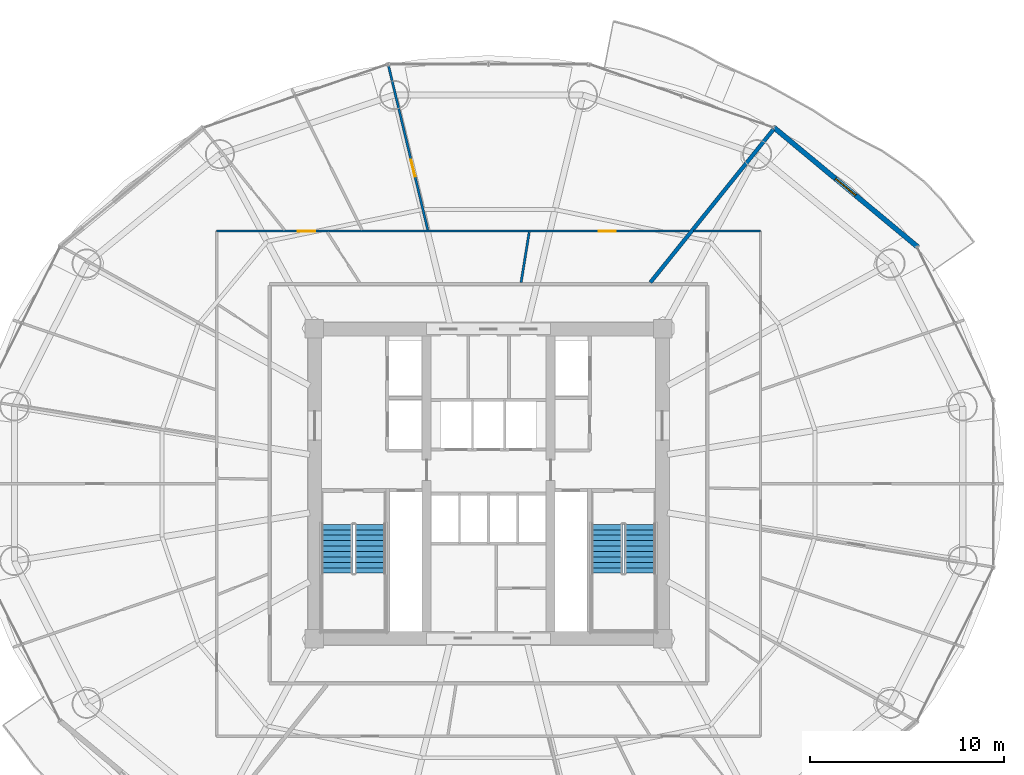
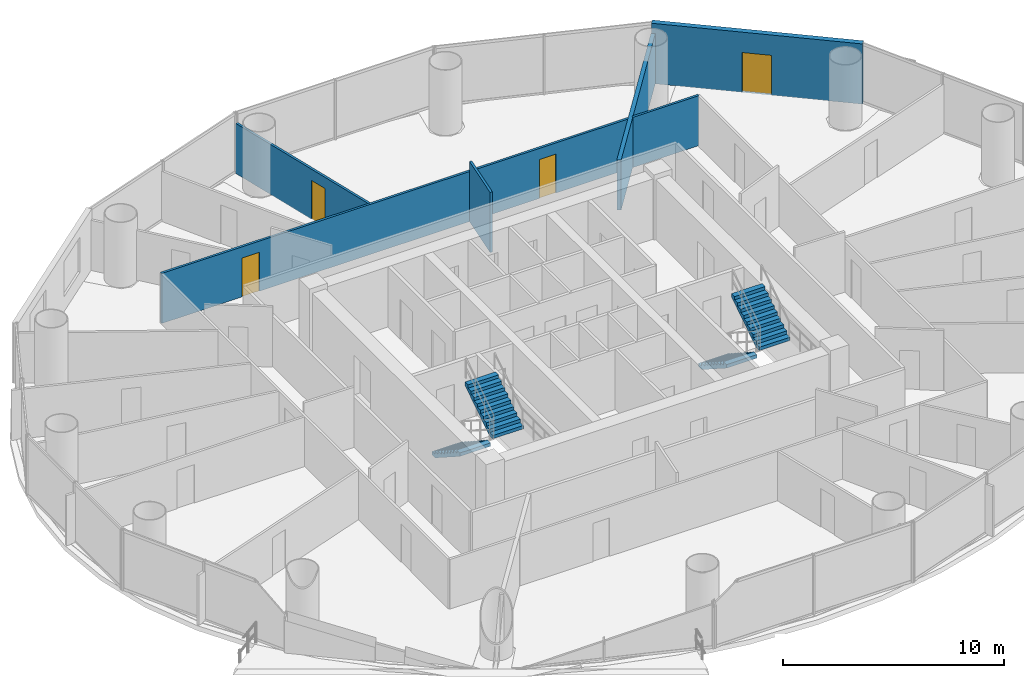
# One storey, part 25 of 29: 6 walls, 4 doors, 4 stair flights, 4 openings, 2 elements without a shape of their own.
"""IFC4 building model written with IfcOpenShell, lengths in metres."""

from ifc_helpers import new_model, si_unit, direction, frame, frame_2d, origin, place, context, subcontext, project, spatial, polyline, rectangle, outline, extrude, source, transform, mapped, material, layer, layer_set, type_object, element, fill, aggregate, save


model = new_model("IFC4")

# Units and contexts
model_context = context("Model", 3, precision=1e-05, world=origin(), true_north=direction((-0.2419218956, 0.970295726276)))
body_context = subcontext(model_context, "Body", "Model", "MODEL_VIEW")
ifc_project = project(units=[si_unit("LENGTHUNIT", "METRE"), si_unit("AREAUNIT", "SQUARE_METRE"), si_unit("VOLUMEUNIT", "CUBIC_METRE"), si_unit("PLANEANGLEUNIT", "RADIAN"), si_unit("MASSUNIT", "GRAM", prefix="KILO")], contexts=[model_context])

# Site, building, storey
site_placement = place(None, origin())
site = spatial("IfcSite", under=ifc_project, at=site_placement, CompositionType="ELEMENT")
building_placement = place(site_placement, origin())
building = spatial("IfcBuilding", under=site, at=building_placement, Name="Cobrevalo Terracotta Tower", CompositionType="ELEMENT")
storey_placement = place(building_placement, frame((0.0, 0.0, 119.39990234375)))
storey = spatial("IfcBuildingStorey", under=building, at=storey_placement, Name="L31", CompositionType="ELEMENT", Elevation=119.39990234375)

# Wall
ifc_material_1 = material(Name="Autoclaved aerated concrete block", Category="concrete")
ifc_layer_1 = layer(ifc_material_1, 0.199951171875)
ifc_layer_set_1 = layer_set([ifc_layer_1], Name="Autoclaved aerated concrete block")
wall_type_1 = type_object("IfcWallType", Name="Fire-rated stair, shaft & demising masonry wall 200 mm", PredefinedType="PARTITIONING", material=ifc_layer_set_1)
wall_1_placement = place(storey_placement, frame((46.35205078125, 37.18505859375, 0.0), z_axis=(0.0, 0.0, 1.0), x_axis=(0.626712884514, 0.779250255299, 0.0)))
element("IfcWall", 1, at=wall_1_placement, inside=storey, type_object=wall_type_1, Name="L31 interior partition IW-L31-DEM-1", PredefinedType="PARTITIONING", context=body_context, shape_type="SweptSolid", body=[
    extrude(rectangle(XDim=10.140869140625, YDim=0.199951171875, at=frame_2d((5.0703125, 0.0))), origin(), (0.0, 0.0, 1.0), 2.76708984375),
])

# Wall, opening, door
ifc_layer_2 = layer(ifc_material_1, 0.260009765625)
ifc_layer_set_2 = layer_set([ifc_layer_2], Name="Autoclaved aerated concrete block")
wall_type_2 = type_object("IfcWallType", Name="Recessed balcony loggia insulated exterior wall 260 mm", PredefinedType="SOLIDWALL", material=ifc_layer_set_2)
wall_2_placement = place(storey_placement, frame((60.15380859375, 39.01025390625, 0.0), z_axis=(0.0, 0.0, 1.0), x_axis=(-0.769242574941, 0.638956853706, 0.0)))
wall_2 = element("IfcWall", 2, at=wall_2_placement, inside=storey, type_object=wall_type_2, Name="L31 balcony loggia wall S02", PredefinedType="SOLIDWALL", context=body_context, shape_type="SweptSolid", body=[
    extrude(rectangle(XDim=9.68994140625, YDim=0.260009765625, at=frame_2d((4.844970703125, 0.0))), origin(), (0.0, 0.0, 1.0), 3.3251953125),
])
opening_1_placement = place(wall_2_placement, frame((4.169921875, 0.0, 0.0)))
opening_1 = element("IfcOpeningElement", 3, at=opening_1_placement, cuts=wall_2, Name="Opening ED-05", PredefinedType="OPENING", context=body_context, shape_type="SweptSolid", body=[
    extrude(rectangle(XDim=1.35009765625, YDim=2.199951171875, at=frame_2d((0.675048828125, 1.10009765625))), frame((0.0, 0.14013671875, 0.0), z_axis=(0.0, -1.0, 0.0), x_axis=(1.0, 0.0, 0.0)), (0.0, 0.0, 1.0), 0.280029296875),
])
ifc_material_2 = material(Name="Anodized aluminium and laminated glass", Category="aluminium")
door_type_1 = type_object("IfcDoorType", Name="Suite balcony acoustic glazed terrace door 1350x2200", OperationType="NOTDEFINED", PredefinedType="DOOR", material=ifc_material_2)
shared_shape_1 = source(origin(), body_context, "Body", "SweptSolid", [
    extrude(rectangle(XDim=1.35009765625, YDim=2.199951171875, at=frame_2d((0.675048828125, 1.10009765625))), frame((0.0, 0.02490234375, 0.0), z_axis=(0.0, -1.0, 0.0), x_axis=(1.0, 0.0, 0.0)), (0.0, 0.0, 1.0), 0.050048828125),
])
door_1_placement = place(opening_1_placement, frame((1.35009765625, 0.0, 0.0), z_axis=(0.0, 0.0, 1.0), x_axis=(-1.0, 0.0, 0.0)))
door_1 = element("IfcDoor", 4, at=door_1_placement, inside=storey, type_object=door_type_1, Name="L31 glazed balcony terrace door 1", OperationType="SINGLE_SWING_LEFT", OverallHeight=2.199951171875, OverallWidth=1.35009765625, PredefinedType="DOOR", context=body_context, shape_type="MappedRepresentation", body=[
    mapped(shared_shape_1, transform((0.0, 0.0, 0.0), scale=1.0)),
])
fill(opening_1, door_1)

# Wall, openings, doors
ifc_material_3 = material(Name="Gypsum board on steel stud", Category="steel")
ifc_layer_3 = layer(ifc_material_3, 0.1201171875)
ifc_layer_set_3 = layer_set([ifc_layer_3], Name="Gypsum board on steel stud")
wall_type_3 = type_object("IfcWallType", Name="Residential internal acoustic stud partition 120 mm", PredefinedType="PARTITIONING", material=ifc_layer_set_3)
wall_3_placement = place(storey_placement, frame((23.965087890625, 39.8349609375, 0.0), z_axis=(0.0, 0.0, 1.0), x_axis=(1.0, 0.0, 0.0)))
wall_3 = element("IfcWall", 5, at=wall_3_placement, inside=storey, type_object=wall_type_3, Name="L31 interior partition IW-L31-U1-RING2_0", PredefinedType="PARTITIONING", context=body_context, shape_type="SweptSolid", body=[
    extrude(rectangle(XDim=24.416015625, YDim=0.1201171875, at=frame_2d((12.2080078125, 0.0))), origin(), (0.0, 0.0, 1.0), 2.76708984375),
])
opening_2_placement = place(wall_3_placement, frame((4.192138671875, 0.0, 0.0)))
opening_2 = element("IfcOpeningElement", 6, at=opening_2_placement, cuts=wall_3, Name="Opening ID-12", PredefinedType="OPENING", context=body_context, shape_type="SweptSolid", body=[
    extrude(rectangle(XDim=0.89990234375, YDim=2.14990234375, at=frame_2d((0.449951171875, 1.074951171875))), frame((0.0, 0.070068359375, 0.0), z_axis=(0.0, -1.0, 0.0), x_axis=(1.0, 0.0, 0.0)), (0.0, 0.0, 1.0), 0.14013671875),
])
opening_3_placement = place(wall_3_placement, frame((19.727783203125, 0.0, 0.0)))
opening_3 = element("IfcOpeningElement", 7, at=opening_3_placement, cuts=wall_3, Name="Opening ID-19", PredefinedType="OPENING", context=body_context, shape_type="SweptSolid", body=[
    extrude(rectangle(XDim=0.860107421875, YDim=2.14990234375, at=frame_2d((0.43017578125, 1.074951171875))), frame((0.0, 0.070068359375, 0.0), z_axis=(0.0, -1.0, 0.0), x_axis=(1.0, 0.0, 0.0)), (0.0, 0.0, 1.0), 0.14013671875),
])
ifc_material_4 = material(Name="Moisture-sealed timber", Category="wood")
door_type_2 = type_object("IfcDoorType", Name="Suite bathroom internal timber door 860x2150", OperationType="NOTDEFINED", PredefinedType="DOOR", material=ifc_material_4)
shared_shape_2 = source(origin(), body_context, "Body", "SweptSolid", [
    extrude(rectangle(XDim=0.860107421875, YDim=2.14990234375, at=frame_2d((0.43017578125, 1.074951171875))), frame((0.0, 0.02490234375, 0.0), z_axis=(0.0, -1.0, 0.0), x_axis=(1.0, 0.0, 0.0)), (0.0, 0.0, 1.0), 0.050048828125),
])
door_2_placement = place(opening_3_placement, frame((0.860107421875, 0.0, 0.0), z_axis=(0.0, 0.0, 1.0), x_axis=(-1.0, 0.0, 0.0)))
door_2 = element("IfcDoor", 8, at=door_2_placement, inside=storey, type_object=door_type_2, Name="Flat L31A Guest Bathroom internal door", OperationType="SINGLE_SWING_LEFT", OverallHeight=2.14990234375, OverallWidth=0.860107421875, PredefinedType="DOOR", context=body_context, shape_type="MappedRepresentation", body=[
    mapped(shared_shape_2, transform((0.0, 0.0, 0.0), scale=1.0)),
])
fill(opening_3, door_2)
ifc_material_5 = material(Name="Engineered timber", Category="wood")
door_type_3 = type_object("IfcDoorType", Name="Internal residence & suite timber door 900x2150", OperationType="NOTDEFINED", PredefinedType="DOOR", material=ifc_material_5)
shared_shape_3 = source(origin(), body_context, "Body", "SweptSolid", [
    extrude(rectangle(XDim=0.89990234375, YDim=2.14990234375, at=frame_2d((0.449951171875, 1.074951171875))), frame((0.0, 0.02490234375, 0.0), z_axis=(0.0, -1.0, 0.0), x_axis=(1.0, 0.0, 0.0)), (0.0, 0.0, 1.0), 0.050048828125),
])
door_3_placement = place(opening_2_placement, origin())
door_3 = element("IfcDoor", 9, at=door_3_placement, inside=storey, type_object=door_type_3, Name="Flat L31A Principal Guest Bedroom internal door", OperationType="SINGLE_SWING_LEFT", OverallHeight=2.14990234375, OverallWidth=0.89990234375, PredefinedType="DOOR", context=body_context, shape_type="MappedRepresentation", body=[
    mapped(shared_shape_3, transform((0.0, 0.0, 0.0), scale=1.0)),
])
fill(opening_2, door_3)

# Wall, opening, door
wall_4_placement = place(storey_placement, frame((34.86474609375, 39.895263671875, 0.0), z_axis=(0.0, 0.0, 1.0), x_axis=(-0.23282725047, 0.97251810854, 0.0)))
wall_4 = element("IfcWall", 10, at=wall_4_placement, inside=storey, type_object=wall_type_3, Name="L31 interior partition IW-L31-U1-ORAD1", PredefinedType="PARTITIONING", context=body_context, shape_type="SweptSolid", body=[
    extrude(rectangle(XDim=8.71484375, YDim=0.1201171875, at=frame_2d((4.357421875, 0.0))), origin(), (0.0, 0.0, 1.0), 2.76708984375),
])
opening_4_placement = place(wall_4_placement, frame((2.83056640625, 0.0, 0.0)))
opening_4 = element("IfcOpeningElement", 11, at=opening_4_placement, cuts=wall_4, Name="Opening ID-12", PredefinedType="OPENING", context=body_context, shape_type="SweptSolid", body=[
    extrude(rectangle(XDim=0.89990234375, YDim=2.14990234375, at=frame_2d((0.449951171875, 1.074951171875))), frame((0.0, 0.070068359375, 0.0), z_axis=(0.0, -1.0, 0.0), x_axis=(1.0, 0.0, 0.0)), (0.0, 0.0, 1.0), 0.14013671875),
])
door_4_placement = place(opening_4_placement, frame((0.89990234375, 0.0, 0.0), z_axis=(0.0, 0.0, 1.0), x_axis=(-1.0, 0.0, 0.0)))
door_4 = element("IfcDoor", 12, at=door_4_placement, inside=storey, type_object=door_type_3, Name="Flat L31A Penthouse Living and Dining Room internal door", OperationType="SINGLE_SWING_RIGHT", OverallHeight=2.14990234375, OverallWidth=0.89990234375, PredefinedType="DOOR", context=body_context, shape_type="MappedRepresentation", body=[
    mapped(shared_shape_3, transform((0.0, 0.0, 0.0), scale=1.0)),
])
fill(opening_4, door_4)

# Walls
wall_5_placement = place(storey_placement, frame((39.678955078125, 37.18505859375, 0.0), z_axis=(0.0, 0.0, 1.0), x_axis=(0.159580767408, 0.98718487563, 0.0)))
element("IfcWall", 13, at=wall_5_placement, inside=storey, type_object=wall_type_3, Name="L31 interior partition IW-L31-U1-IRAD1", PredefinedType="PARTITIONING", context=body_context, shape_type="SweptSolid", body=[
    extrude(rectangle(XDim=2.622314453125, YDim=0.1201171875, at=frame_2d((1.31103515625, 0.0))), origin(), (0.0, 0.0, 1.0), 3.3251953125),
])
wall_6_placement = place(storey_placement, frame((48.585205078125, 39.8349609375, 0.0), z_axis=(0.0, 0.0, 1.0), x_axis=(1.0, 0.0, 0.0)))
element("IfcWall", 14, at=wall_6_placement, inside=storey, type_object=wall_type_3, Name="L31 interior partition IW-L31-U2-RING0_0", PredefinedType="PARTITIONING", context=body_context, shape_type="SweptSolid", body=[
    extrude(rectangle(XDim=3.44970703125, YDim=0.1201171875, at=frame_2d((1.724853515625, 0.0))), origin(), (0.0, 0.0, 1.0), 2.76708984375),
])

# Stair, stair flights
ifc_material_6 = material(Name="Concrete C50", Category="concrete")
stair_type = type_object("IfcStairType", Name="Core protected escape dogleg stair 1600", PredefinedType="HALF_TURN_STAIR", material=ifc_material_6)
stair_1_placement = place(storey_placement, origin())
stair_1 = element("IfcStair", 15, at=stair_1_placement, inside=storey, type_object=stair_type, Name="L31 Protected exit stair ST-1", PredefinedType="HALF_TURN_STAIR")
stair_flight_type = type_object("IfcStairFlightType", Name="Core protected escape dogleg stair 1600 flight", PredefinedType="STRAIGHT", material=ifc_material_6)
stair_flight_1_placement = place(storey_placement, frame((30.175048828125, 24.699951171875, 0.0), z_axis=(0.0, 0.0, 1.0), x_axis=(0.0, -1.0, 0.0)))
stair_flight_1 = element("IfcStairFlight", 16, at=stair_flight_1_placement, type_object=stair_flight_type, Name="ST-1 flight 1", NumberOfRisers=10, NumberOfTreads=9, PredefinedType="STRAIGHT", RiserHeight=0.18, TreadLength=0.28, context=body_context, shape_type="SweptSolid", body=[
    extrude(outline(polyline([(0.0, 0.0), (0.0, 0.179931640625), (0.280029296875, 0.179931640625), (0.280029296875, 0.360107421875), (0.56005859375, 0.360107421875), (0.56005859375, 0.5400390625), (0.840087890625, 0.5400390625), (0.840087890625, 0.719970703125), (1.1201171875, 0.719970703125), (1.1201171875, 0.89990234375), (1.39990234375, 0.89990234375), (1.39990234375, 1.080078125), (1.679931640625, 1.080078125), (1.679931640625, 1.260009765625), (1.9599609375, 1.260009765625), (1.9599609375, 1.43994140625), (2.239990234375, 1.43994140625), (2.239990234375, 1.6201171875), (2.52001953125, 1.6201171875), (2.52001953125, 1.800048828125), (2.52001953125, 1.429931640625), (0.295654296875, 0.0), (0.0, 0.0)])), frame((0.0, 0.800048828125, 0.0), z_axis=(0.0, -1.0, 0.0), x_axis=(1.0, 0.0, 0.0)), (0.0, 0.0, 1.0), 1.60009765625),
])
stair_flight_2_placement = place(storey_placement, frame((31.89501953125, 22.179931640625, 1.800048828125), z_axis=(0.0, 0.0, 1.0), x_axis=(0.0, 1.0, 0.0)))
stair_flight_2 = element("IfcStairFlight", 17, at=stair_flight_2_placement, type_object=stair_flight_type, Name="ST-1 flight 2", NumberOfRisers=10, NumberOfTreads=9, PredefinedType="STRAIGHT", RiserHeight=0.18, TreadLength=0.28, context=body_context, shape_type="SweptSolid", body=[
    extrude(outline(polyline([(0.0, 0.0), (0.0, 0.179931640625), (0.280029296875, 0.179931640625), (0.280029296875, 0.360107421875), (0.56005859375, 0.360107421875), (0.56005859375, 0.5400390625), (0.840087890625, 0.5400390625), (0.840087890625, 0.719970703125), (1.1201171875, 0.719970703125), (1.1201171875, 0.89990234375), (1.39990234375, 0.89990234375), (1.39990234375, 1.080078125), (1.679931640625, 1.080078125), (1.679931640625, 1.260009765625), (1.9599609375, 1.260009765625), (1.9599609375, 1.43994140625), (2.239990234375, 1.43994140625), (2.239990234375, 1.6201171875), (2.52001953125, 1.6201171875), (2.52001953125, 1.800048828125), (2.52001953125, 1.429931640625), (0.295654296875, 0.0), (0.0, 0.0)])), frame((0.0, 0.800048828125, 0.0), z_axis=(0.0, -1.0, 0.0), x_axis=(1.0, 0.0, 0.0)), (0.0, 0.0, 1.0), 1.60009765625),
])
aggregate(stair_1, [stair_flight_1, stair_flight_2])

stair_2_placement = place(storey_placement, origin())
stair_2 = element("IfcStair", 18, at=stair_2_placement, inside=storey, type_object=stair_type, Name="L31 Protected exit stair ST-2", PredefinedType="HALF_TURN_STAIR")
stair_flight_3_placement = place(storey_placement, frame((44.10498046875, 24.699951171875, 0.0), z_axis=(0.0, 0.0, 1.0), x_axis=(0.0, -1.0, 0.0)))
stair_flight_3 = element("IfcStairFlight", 19, at=stair_flight_3_placement, type_object=stair_flight_type, Name="ST-2 flight 1", NumberOfRisers=10, NumberOfTreads=9, PredefinedType="STRAIGHT", RiserHeight=0.18, TreadLength=0.28, context=body_context, shape_type="SweptSolid", body=[
    extrude(outline(polyline([(0.0, 0.0), (0.0, 0.179931640625), (0.280029296875, 0.179931640625), (0.280029296875, 0.360107421875), (0.56005859375, 0.360107421875), (0.56005859375, 0.5400390625), (0.840087890625, 0.5400390625), (0.840087890625, 0.719970703125), (1.1201171875, 0.719970703125), (1.1201171875, 0.89990234375), (1.39990234375, 0.89990234375), (1.39990234375, 1.080078125), (1.679931640625, 1.080078125), (1.679931640625, 1.260009765625), (1.9599609375, 1.260009765625), (1.9599609375, 1.43994140625), (2.239990234375, 1.43994140625), (2.239990234375, 1.6201171875), (2.52001953125, 1.6201171875), (2.52001953125, 1.800048828125), (2.52001953125, 1.429931640625), (0.295654296875, 0.0), (0.0, 0.0)])), frame((0.0, 0.800048828125, 0.0), z_axis=(0.0, -1.0, 0.0), x_axis=(1.0, 0.0, 0.0)), (0.0, 0.0, 1.0), 1.60009765625),
])
stair_flight_4_placement = place(storey_placement, frame((45.824951171875, 22.179931640625, 1.800048828125), z_axis=(0.0, 0.0, 1.0), x_axis=(0.0, 1.0, 0.0)))
stair_flight_4 = element("IfcStairFlight", 20, at=stair_flight_4_placement, type_object=stair_flight_type, Name="ST-2 flight 2", NumberOfRisers=10, NumberOfTreads=9, PredefinedType="STRAIGHT", RiserHeight=0.18, TreadLength=0.28, context=body_context, shape_type="SweptSolid", body=[
    extrude(outline(polyline([(0.0, 0.0), (0.0, 0.179931640625), (0.280029296875, 0.179931640625), (0.280029296875, 0.360107421875), (0.56005859375, 0.360107421875), (0.56005859375, 0.5400390625), (0.840087890625, 0.5400390625), (0.840087890625, 0.719970703125), (1.1201171875, 0.719970703125), (1.1201171875, 0.89990234375), (1.39990234375, 0.89990234375), (1.39990234375, 1.080078125), (1.679931640625, 1.080078125), (1.679931640625, 1.260009765625), (1.9599609375, 1.260009765625), (1.9599609375, 1.43994140625), (2.239990234375, 1.43994140625), (2.239990234375, 1.6201171875), (2.52001953125, 1.6201171875), (2.52001953125, 1.800048828125), (2.52001953125, 1.429931640625), (0.295654296875, 0.0), (0.0, 0.0)])), frame((0.0, 0.800048828125, 0.0), z_axis=(0.0, -1.0, 0.0), x_axis=(1.0, 0.0, 0.0)), (0.0, 0.0, 1.0), 1.60009765625),
])
aggregate(stair_2, [stair_flight_3, stair_flight_4])

save(model, "model.ifc")
